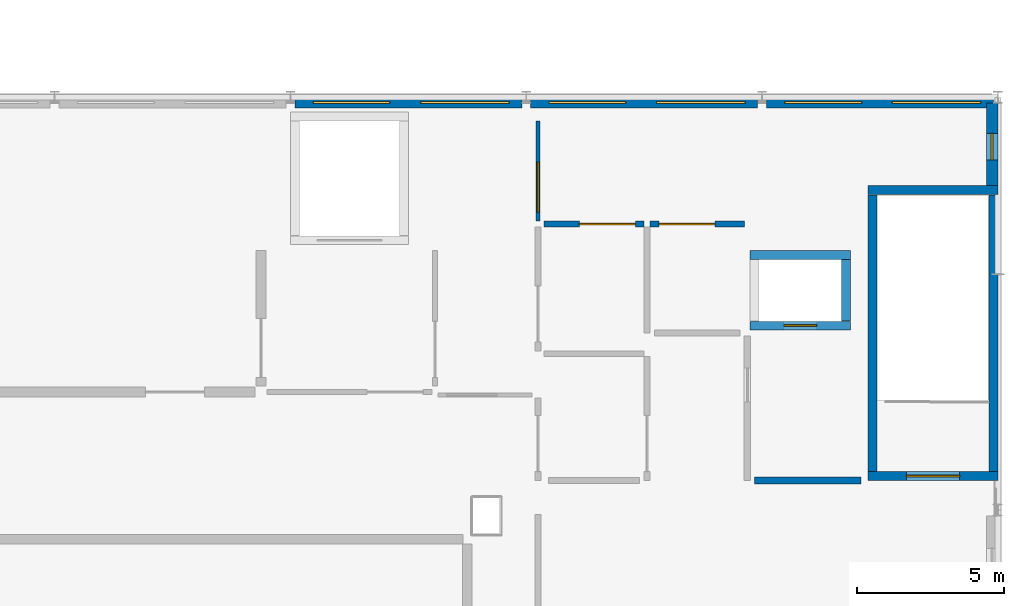
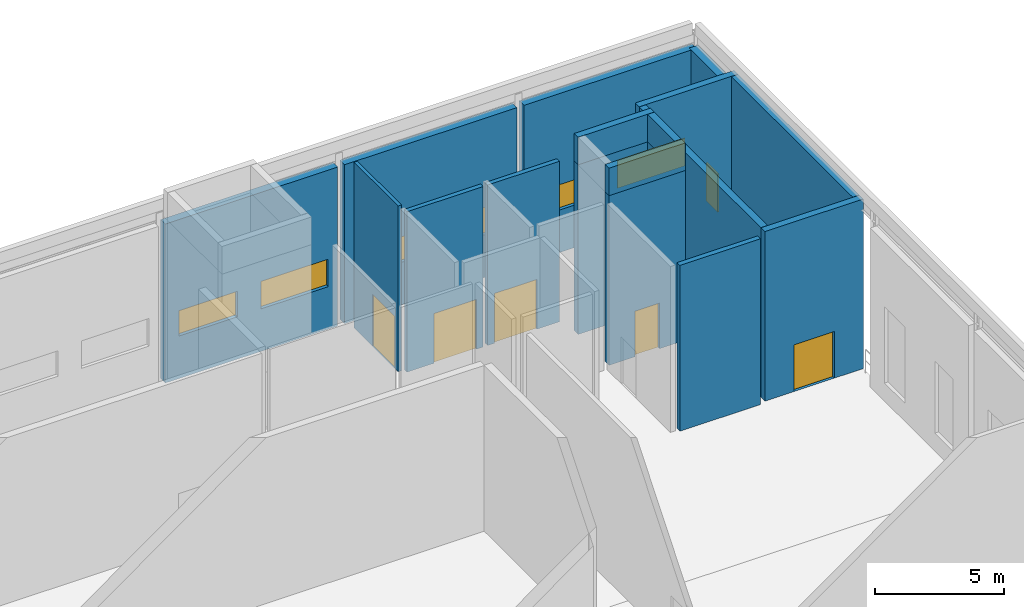
# One storey, part 44 of 49: 18 walls, 7 windows, 5 doors, 12 openings.
"""IFC4 building model written with IfcOpenShell, lengths in metres."""

from ifc_helpers import new_model, si_unit, direction, frame, frame_2d, origin, place, context, subcontext, project, spatial, rectangle, extrude, material, layer, layer_set, type_object, element, fill, save


model = new_model("IFC4")

# Units and contexts
model_context = context("Model", 3, precision=1e-05, world=origin(), true_north=direction((0.0, 1.0)))
body_context = subcontext(model_context, "Body", "Model", "MODEL_VIEW")
ifc_project = project(units=[si_unit("LENGTHUNIT", "METRE"), si_unit("AREAUNIT", "SQUARE_METRE"), si_unit("VOLUMEUNIT", "CUBIC_METRE"), si_unit("PLANEANGLEUNIT", "RADIAN"), si_unit("MASSUNIT", "GRAM", prefix="KILO")], contexts=[model_context])

# Site, building, storey
site_placement = place(None, origin())
site = spatial("IfcSite", under=ifc_project, at=site_placement, CompositionType="ELEMENT")
building_placement = place(site_placement, origin())
building = spatial("IfcBuilding", under=site, at=building_placement, Name="Sundkrona Museum", CompositionType="ELEMENT")
storey_placement = place(building_placement, frame((0.0, 0.0, 26.0)))
storey = spatial("IfcBuildingStorey", under=building, at=storey_placement, Name="L05", CompositionType="ELEMENT", Elevation=26.0)

# Wall, opening, door
ifc_material_1 = material(Name="Concrete C40/50", Category="concrete")
ifc_layer_1 = layer(ifc_material_1, 0.300048828125)
ifc_layer_set_1 = layer_set([ifc_layer_1], Name="Concrete C40/50")
wall_type_1 = type_object("IfcWallType", Name="W-CORE-300", PredefinedType="SHEAR", material=ifc_layer_set_1)
wall_1_placement = place(storey_placement, frame((163.60009765625, 33.14990234375, 0.0), z_axis=(0.0, 0.0, 1.0), x_axis=(1.0, 0.0, 0.0)))
wall_1 = element("IfcWall", 1, at=wall_1_placement, inside=storey, type_object=wall_type_1, Name="L05 ST-1 Core Shear Wall South", PredefinedType="SHEAR", context=body_context, shape_type="SweptSolid", body=[
    extrude(rectangle(XDim=4.39990234375, YDim=0.300048828125, at=frame_2d((2.199951171875, 0.0))), origin(), (0.0, 0.0, 1.0), 8.0),
])
opening_1_placement = place(wall_1_placement, frame((1.300048828125, 0.0, 0.0)))
opening_1 = element("IfcOpeningElement", 2, at=opening_1_placement, cuts=wall_1, Name="Opening D-FD60", PredefinedType="OPENING", context=body_context, shape_type="SweptSolid", body=[
    extrude(rectangle(XDim=1.800048828125, YDim=2.199951171875, at=frame_2d((0.89990234375, 1.10009765625))), frame((0.0, 0.159912109375, 0.0), z_axis=(0.0, -1.0, 0.0), x_axis=(1.0, 0.0, 0.0)), (0.0, 0.0, 1.0), 0.320068359375),
])
ifc_material_2 = material(Name="Steel S355J2 Fire Door Leaf", Category="steel")
door_type_1 = type_object("IfcDoorType", Name="D-FD60", OperationType="DOUBLE_DOOR_SINGLE_SWING", PredefinedType="DOOR", material=ifc_material_2)
door_1_placement = place(opening_1_placement, origin())
door_1 = element("IfcDoor", 3, at=door_1_placement, inside=storey, type_object=door_type_1, Name="L05 ST-1 Protected Escape Stair Door DR-ST-1-L05", OperationType="DOUBLE_DOOR_SINGLE_SWING", OverallHeight=2.199951171875, OverallWidth=1.800048828125, PredefinedType="DOOR", context=body_context, shape_type="SweptSolid", body=[
    extrude(rectangle(XDim=1.800048828125, YDim=2.199951171875, at=frame_2d((0.89990234375, 1.10009765625))), frame((0.0, 0.02490234375, 0.0), z_axis=(0.0, -1.0, 0.0), x_axis=(1.0, 0.0, 0.0)), (0.0, 0.0, 1.0), 0.050048828125),
])
fill(opening_1, door_1)

# Walls
wall_2_placement = place(storey_placement, frame((163.60009765625, 42.85009765625, 0.0), z_axis=(0.0, 0.0, 1.0), x_axis=(1.0, 0.0, 0.0)))
element("IfcWall", 4, at=wall_2_placement, inside=storey, type_object=wall_type_1, Name="L05 ST-1 Core Shear Wall North", PredefinedType="SHEAR", context=body_context, shape_type="SweptSolid", body=[
    extrude(rectangle(XDim=4.39990234375, YDim=0.300048828125, at=frame_2d((2.199951171875, 0.0))), origin(), (0.0, 0.0, 1.0), 8.0),
])
for number, where, z_axis, x_axis, name in (
    (5, (163.75, 33.31005859375, 0.0), (0.0, 0.0, 1.0), (0.0, 1.0, 0.0), "L05 ST-1 Core Shear Wall West"),
    (6, (167.85009765625, 33.31005859375, 0.0), (0.0, 0.0, 1.0), (0.0, 1.0, 0.0), "L05 ST-1 Core Shear Wall East"),
):
    element("IfcWall", number, at=place(storey_placement, frame(where, z_axis=z_axis, x_axis=x_axis)), inside=storey, type_object=wall_type_1, Name=name, PredefinedType="SHEAR", context=body_context, shape_type="SweptSolid", body=[
        extrude(rectangle(XDim=9.3798828125, YDim=0.300048828125, at=frame_2d((4.68994140625, 0.0))), origin(), (0.0, 0.0, 1.0), 8.0),
    ])

# Wall, opening, door
wall_3_placement = place(storey_placement, frame((159.60009765625, 38.25, 0.0), z_axis=(0.0, 0.0, 1.0), x_axis=(1.0, 0.0, 0.0)))
wall_3 = element("IfcWall", 7, at=wall_3_placement, inside=storey, type_object=wall_type_1, Name="L05 PL-1 Lift Shaft Wall South", PredefinedType="SHEAR", context=body_context, shape_type="SweptSolid", body=[
    extrude(rectangle(XDim=3.39990234375, YDim=0.300048828125, at=frame_2d((1.699951171875, 0.0))), origin(), (0.0, 0.0, 1.0), 8.0),
])
opening_2_placement = place(wall_3_placement, frame((1.14990234375, 0.0, 0.0)))
opening_2 = element("IfcOpeningElement", 8, at=opening_2_placement, cuts=wall_3, Name="Opening LD-01", PredefinedType="OPENING", context=body_context, shape_type="SweptSolid", body=[
    extrude(rectangle(XDim=1.10009765625, YDim=2.14990234375, at=frame_2d((0.550048828125, 1.074951171875))), frame((0.0, 0.159912109375, 0.0), z_axis=(0.0, -1.0, 0.0), x_axis=(1.0, 0.0, 0.0)), (0.0, 0.0, 1.0), 0.320068359375),
])
ifc_material_3 = material(Name="Brushed Stainless Steel Lift Door", Category="steel")
door_type_2 = type_object("IfcDoorType", Name="LD-01", OperationType="SLIDING_TO_LEFT", PredefinedType="DOOR", material=ifc_material_3)
door_2_placement = place(opening_2_placement, origin())
door_2 = element("IfcDoor", 9, at=door_2_placement, inside=storey, type_object=door_type_2, Name="L05 Firefighters Passenger Lift PL-1 Landing Door DR-LIFT-PL-1-L05", OperationType="SLIDING_TO_LEFT", OverallHeight=2.14990234375, OverallWidth=1.10009765625, PredefinedType="DOOR", context=body_context, shape_type="SweptSolid", body=[
    extrude(rectangle(XDim=1.10009765625, YDim=2.14990234375, at=frame_2d((0.550048828125, 1.074951171875))), frame((0.0, 0.02490234375, 0.0), z_axis=(0.0, -1.0, 0.0), x_axis=(1.0, 0.0, 0.0)), (0.0, 0.0, 1.0), 0.050048828125),
])
fill(opening_2, door_2)

# Walls
wall_4_placement = place(storey_placement, frame((159.60009765625, 40.64990234375, 0.0), z_axis=(0.0, 0.0, 1.0), x_axis=(1.0, 0.0, 0.0)))
element("IfcWall", 10, at=wall_4_placement, inside=storey, type_object=wall_type_1, Name="L05 PL-1 Lift Shaft Wall North", PredefinedType="SHEAR", context=body_context, shape_type="SweptSolid", body=[
    extrude(rectangle(XDim=3.39990234375, YDim=0.300048828125, at=frame_2d((1.699951171875, 0.0))), origin(), (0.0, 0.0, 1.0), 8.0),
])
wall_5_placement = place(storey_placement, frame((162.85009765625, 38.409912109375, 0.0), z_axis=(0.0, 0.0, 1.0), x_axis=(0.0, 1.0, 0.0)))
element("IfcWall", 11, at=wall_5_placement, inside=storey, type_object=wall_type_1, Name="L05 PL-1 Lift Shaft Wall East", PredefinedType="SHEAR", context=body_context, shape_type="SweptSolid", body=[
    extrude(rectangle(XDim=2.080078125, YDim=0.300048828125, at=frame_2d((1.0400390625, 0.0))), origin(), (0.0, 0.0, 1.0), 8.0),
])
for number, where, z_axis, x_axis, name in (
    (12, (159.60009765625, 38.25, 8.0), (0.0, 0.0, 1.0), (1.0, 0.0, 0.0), "PL-1 Lift Overrun Wall South"),
    (13, (159.60009765625, 40.64990234375, 8.0), (0.0, 0.0, 1.0), (1.0, 0.0, 0.0), "PL-1 Lift Overrun Wall North"),
):
    element("IfcWall", number, at=place(storey_placement, frame(where, z_axis=z_axis, x_axis=x_axis)), inside=storey, type_object=wall_type_1, Name=name, PredefinedType="SHEAR", context=body_context, shape_type="SweptSolid", body=[
        extrude(rectangle(XDim=3.39990234375, YDim=0.300048828125, at=frame_2d((1.699951171875, 0.0))), origin(), (0.0, 0.0, 1.0), 1.300048828125),
    ])
wall_6_placement = place(storey_placement, frame((162.85009765625, 38.409912109375, 8.0), z_axis=(0.0, 0.0, 1.0), x_axis=(0.0, 1.0, 0.0)))
element("IfcWall", 14, at=wall_6_placement, inside=storey, type_object=wall_type_1, Name="PL-1 Lift Overrun Wall East", PredefinedType="SHEAR", context=body_context, shape_type="SweptSolid", body=[
    extrude(rectangle(XDim=2.080078125, YDim=0.300048828125, at=frame_2d((1.0400390625, 0.0))), origin(), (0.0, 0.0, 1.0), 1.300048828125),
])

# Wall, opening, window
ifc_material_4 = material(Name="Scanian Polychrome Clay Brickwork 390 mm", Category="masonry")
ifc_layer_2 = layer(ifc_material_4, 0.389892578125)
ifc_layer_set_2 = layer_set([ifc_layer_2], Name="Scanian Polychrome Clay Brickwork 390 mm")
wall_type_2 = type_object("IfcWallType", Name="W-EX-390", PredefinedType="SOLIDWALL", material=ifc_layer_set_2)
wall_7_placement = place(storey_placement, frame((167.804931640625, 45.798095703125, 0.0), z_axis=(0.0, 0.0, 1.0), x_axis=(0.0, -1.0, 0.0)))
wall_7 = element("IfcWall", 15, at=wall_7_placement, inside=storey, type_object=wall_type_2, Name="L05 Facade Wall 0078", PredefinedType="SOLIDWALL", context=body_context, shape_type="SweptSolid", body=[
    extrude(rectangle(XDim=2.93798828125, YDim=0.389892578125, at=frame_2d((1.468994140625, 0.0))), origin(), (0.0, 0.0, 1.0), 7.4951171875),
])
opening_3_placement = place(wall_7_placement, frame((1.01904296875, 0.0, 0.85009765625)))
opening_3 = element("IfcOpeningElement", 16, at=opening_3_placement, cuts=wall_7, Name="Opening WN-ST-090x180", PredefinedType="OPENING", context=body_context, shape_type="SweptSolid", body=[
    extrude(rectangle(XDim=0.89990234375, YDim=1.800048828125, at=frame_2d((0.449951171875, 0.89990234375))), frame((0.0, 0.204833984375, 0.0), z_axis=(0.0, -1.0, 0.0), x_axis=(1.0, 0.0, 0.0)), (0.0, 0.0, 1.0), 0.409912109375),
])
ifc_material_5 = material(Name="Triple Low-E Argon Glazing in Bronze-Anodised Aluminium", Category="aluminium")
window_type_1 = type_object("IfcWindowType", Name="WN-ST-090x180", PartitioningType="SINGLE_PANEL", PredefinedType="WINDOW", material=ifc_material_5)
window_1_placement = place(opening_3_placement, origin())
window_1 = element("IfcWindow", 17, at=window_1_placement, inside=storey, type_object=window_type_1, Name="L05 Stair-core avenue daylight slot window 900x1800 WIN-L05-0107", OverallHeight=1.800048828125, OverallWidth=0.89990234375, PartitioningType="SINGLE_PANEL", PredefinedType="WINDOW", context=body_context, shape_type="SweptSolid", body=[
    extrude(rectangle(XDim=0.89990234375, YDim=1.800048828125, at=frame_2d((0.449951171875, 0.89990234375))), frame((0.0, 0.030029296875, 0.0), z_axis=(0.0, -1.0, 0.0), x_axis=(1.0, 0.0, 0.0)), (0.0, 0.0, 1.0), 0.06005859375),
])
fill(opening_3, window_1)

# Wall
ifc_material_6 = material(Name="Autoclaved Aerated Masonry 225 mm", Category="masonry")
ifc_layer_3 = layer(ifc_material_6, 0.22509765625)
ifc_layer_set_3 = layer_set([ifc_layer_3], Name="Autoclaved Aerated Masonry 225 mm")
wall_type_3 = type_object("IfcWallType", Name="W-FF-225", PredefinedType="SOLIDWALL", material=ifc_layer_set_3)
wall_8_placement = place(storey_placement, frame((159.75, 33.0, 0.0), z_axis=(0.0, 0.0, 1.0), x_axis=(1.0, 0.0, 0.0)))
element("IfcWall", 18, at=wall_8_placement, inside=storey, type_object=wall_type_3, Name="L05 Firefighting Lobby Enclosure Wall S", PredefinedType="SOLIDWALL", context=body_context, shape_type="SweptSolid", body=[
    extrude(rectangle(XDim=3.60009765625, YDim=0.22509765625, at=frame_2d((1.800048828125, 0.0))), origin(), (0.0, 0.0, 1.0), 7.820068359375),
])

# Wall, opening, door
ifc_material_7 = material(Name="Acoustic Gypsum Partition Board 150 mm", Category="other")
ifc_layer_4 = layer(ifc_material_7, 0.14990234375)
ifc_layer_set_4 = layer_set([ifc_layer_4], Name="Acoustic Gypsum Partition Board 150 mm")
wall_type_4 = type_object("IfcWallType", Name="W-PT-150", PredefinedType="PARTITIONING", material=ifc_layer_set_4)
wall_9_placement = place(storey_placement, frame((152.39990234375, 41.800048828125, 0.0), z_axis=(0.0, 0.0, 1.0), x_axis=(0.0, 1.0, 0.0)))
wall_9 = element("IfcWall", 19, at=wall_9_placement, inside=storey, type_object=wall_type_4, Name="L05 Partition Sanitary WC Lobby / Crown Core 1 Connector", PredefinedType="PARTITIONING", context=body_context, shape_type="SweptSolid", body=[
    extrude(rectangle(XDim=3.39990234375, YDim=0.14990234375, at=frame_2d((1.699951171875, 0.0))), origin(), (0.0, 0.0, 1.0), 7.820068359375),
])
opening_4_placement = place(wall_9_placement, frame((0.300048828125, 0.0, 0.0)))
opening_4 = element("IfcOpeningElement", 20, at=opening_4_placement, cuts=wall_9, Name="Opening D-GAL-170", PredefinedType="OPENING", context=body_context, shape_type="SweptSolid", body=[
    extrude(rectangle(XDim=1.699951171875, YDim=2.449951171875, at=frame_2d((0.85009765625, 1.22509765625))), frame((0.0, 0.0849609375, 0.0), z_axis=(0.0, -1.0, 0.0), x_axis=(1.0, 0.0, 0.0)), (0.0, 0.0, 1.0), 0.169921875),
])
ifc_material_8 = material(Name="European Oak Gallery Door", Category="other")
door_type_3 = type_object("IfcDoorType", Name="D-GAL-170", OperationType="DOUBLE_DOOR_SINGLE_SWING", PredefinedType="DOOR", material=ifc_material_8)
door_3_placement = place(opening_4_placement, origin())
door_3 = element("IfcDoor", 21, at=door_3_placement, inside=storey, type_object=door_type_3, Name="L05 Interior Door DR-ADJ-L05-0211", OperationType="DOUBLE_DOOR_SINGLE_SWING", OverallHeight=2.449951171875, OverallWidth=1.699951171875, PredefinedType="DOOR", context=body_context, shape_type="SweptSolid", body=[
    extrude(rectangle(XDim=1.699951171875, YDim=2.449951171875, at=frame_2d((0.85009765625, 1.22509765625))), frame((0.0, 0.02490234375, 0.0), z_axis=(0.0, -1.0, 0.0), x_axis=(1.0, 0.0, 0.0)), (0.0, 0.0, 1.0), 0.050048828125),
])
fill(opening_4, door_3)

ifc_material_9 = material(Name="Moisture-resistant Tile Partition 200 mm", Category="other")
ifc_layer_5 = layer(ifc_material_9, 0.199951171875)
ifc_layer_set_5 = layer_set([ifc_layer_5], Name="Moisture-resistant Tile Partition 200 mm")
wall_type_5 = type_object("IfcWallType", Name="W-PT-200", PredefinedType="PARTITIONING", material=ifc_layer_set_5)
wall_10_placement = place(storey_placement, frame((152.60009765625, 41.699951171875, 0.0), z_axis=(0.0, 0.0, 1.0), x_axis=(1.0, 0.0, 0.0)))
wall_10 = element("IfcWall", 22, at=wall_10_placement, inside=storey, type_object=wall_type_5, Name="L05 Partition Sanitary WC Lobby / Female Toilet", PredefinedType="PARTITIONING", context=body_context, shape_type="SweptSolid", body=[
    extrude(rectangle(XDim=3.39990234375, YDim=0.199951171875, at=frame_2d((1.699951171875, 0.0))), origin(), (0.0, 0.0, 1.0), 7.570068359375),
])
opening_5_placement = place(wall_10_placement, frame((1.199951171875, 0.0, 0.0)))
opening_5 = element("IfcOpeningElement", 23, at=opening_5_placement, cuts=wall_10, Name="Opening D-AUD-190", PredefinedType="OPENING", context=body_context, shape_type="SweptSolid", body=[
    extrude(rectangle(XDim=1.89990234375, YDim=2.35009765625, at=frame_2d((0.949951171875, 1.175048828125))), frame((0.0, 0.10986328125, 0.0), z_axis=(0.0, -1.0, 0.0), x_axis=(1.0, 0.0, 0.0)), (0.0, 0.0, 1.0), 0.219970703125),
])
ifc_material_10 = material(Name="Acoustic Oak Fire Door", Category="other")
door_type_4 = type_object("IfcDoorType", Name="D-AUD-190", OperationType="DOUBLE_DOOR_SINGLE_SWING", PredefinedType="DOOR", material=ifc_material_10)
door_4_placement = place(opening_5_placement, origin())
door_4 = element("IfcDoor", 24, at=door_4_placement, inside=storey, type_object=door_type_4, Name="L05 Interior Door DR-ADJ-L05-0209", OperationType="DOUBLE_DOOR_SINGLE_SWING", OverallHeight=2.35009765625, OverallWidth=1.89990234375, PredefinedType="DOOR", context=body_context, shape_type="SweptSolid", body=[
    extrude(rectangle(XDim=1.89990234375, YDim=2.35009765625, at=frame_2d((0.949951171875, 1.175048828125))), frame((0.0, 0.02490234375, 0.0), z_axis=(0.0, -1.0, 0.0), x_axis=(1.0, 0.0, 0.0)), (0.0, 0.0, 1.0), 0.050048828125),
])
fill(opening_5, door_4)

wall_11_placement = place(storey_placement, frame((156.199951171875, 41.699951171875, 0.0), z_axis=(0.0, 0.0, 1.0), x_axis=(1.0, 0.0, 0.0)))
wall_11 = element("IfcWall", 25, at=wall_11_placement, inside=storey, type_object=wall_type_5, Name="L05 Partition Sanitary WC Lobby / Accessible WC", PredefinedType="PARTITIONING", context=body_context, shape_type="SweptSolid", body=[
    extrude(rectangle(XDim=3.199951171875, YDim=0.199951171875, at=frame_2d((1.60009765625, 0.0))), origin(), (0.0, 0.0, 1.0), 7.570068359375),
])
opening_6_placement = place(wall_11_placement, frame((0.300048828125, 0.0, 0.0)))
opening_6 = element("IfcOpeningElement", 26, at=opening_6_placement, cuts=wall_11, Name="Opening D-AUD-190", PredefinedType="OPENING", context=body_context, shape_type="SweptSolid", body=[
    extrude(rectangle(XDim=1.89990234375, YDim=2.35009765625, at=frame_2d((0.949951171875, 1.175048828125))), frame((0.0, 0.10986328125, 0.0), z_axis=(0.0, -1.0, 0.0), x_axis=(1.0, 0.0, 0.0)), (0.0, 0.0, 1.0), 0.219970703125),
])
door_5_placement = place(opening_6_placement, origin())
door_5 = element("IfcDoor", 27, at=door_5_placement, inside=storey, type_object=door_type_4, Name="L05 Interior Door DR-ADJ-L05-0210", OperationType="DOUBLE_DOOR_SINGLE_SWING", OverallHeight=2.35009765625, OverallWidth=1.89990234375, PredefinedType="DOOR", context=body_context, shape_type="SweptSolid", body=[
    extrude(rectangle(XDim=1.89990234375, YDim=2.35009765625, at=frame_2d((0.949951171875, 1.175048828125))), frame((0.0, 0.02490234375, 0.0), z_axis=(0.0, -1.0, 0.0), x_axis=(1.0, 0.0, 0.0)), (0.0, 0.0, 1.0), 0.050048828125),
])
fill(opening_6, door_5)

# Wall, openings, windows
ifc_material_11 = material(Name="Vitrified Stoneware Mosaic Cladding 360 mm", Category="masonry")
ifc_layer_6 = layer(ifc_material_11, 0.360107421875)
ifc_layer_set_6 = layer_set([ifc_layer_6], Name="Vitrified Stoneware Mosaic Cladding 360 mm")
wall_type_6 = type_object("IfcWallType", Name="W-SP-360", PredefinedType="ELEMENTEDWALL", material=ifc_layer_set_6)
wall_12_placement = place(storey_placement, frame((144.152099609375, 45.820068359375, 0.0), z_axis=(0.0, 0.0, 1.0), x_axis=(1.0, 0.0, 0.0)))
wall_12 = element("IfcWall", 28, at=wall_12_placement, inside=storey, type_object=wall_type_6, Name="L05 Facade Wall 0082", PredefinedType="ELEMENTEDWALL", context=body_context, shape_type="SweptSolid", body=[
    extrude(rectangle(XDim=7.69580078125, YDim=0.360107421875, at=frame_2d((3.847900390625, 0.0))), origin(), (0.0, 0.0, 1.0), 7.4951171875),
])
opening_7_placement = place(wall_12_placement, frame((0.6240234375, 0.0, 2.0)))
opening_7 = element("IfcOpeningElement", 29, at=opening_7_placement, cuts=wall_12, Name="Opening WN-CL-260x120", PredefinedType="OPENING", context=body_context, shape_type="SweptSolid", body=[
    extrude(rectangle(XDim=2.60009765625, YDim=1.199951171875, at=frame_2d((1.300048828125, 0.60009765625))), frame((0.0, 0.18994140625, 0.0), z_axis=(0.0, -1.0, 0.0), x_axis=(1.0, 0.0, 0.0)), (0.0, 0.0, 1.0), 0.380126953125),
])
opening_8_placement = place(wall_12_placement, frame((4.27197265625, 0.0, 2.0)))
opening_8 = element("IfcOpeningElement", 30, at=opening_8_placement, cuts=wall_12, Name="Opening WN-CL-300x130", PredefinedType="OPENING", context=body_context, shape_type="SweptSolid", body=[
    extrude(rectangle(XDim=3.0, YDim=1.300048828125, at=frame_2d((1.5, 0.64990234375))), frame((0.0, 0.18994140625, 0.0), z_axis=(0.0, -1.0, 0.0), x_axis=(1.0, 0.0, 0.0)), (0.0, 0.0, 1.0), 0.380126953125),
])
window_type_2 = type_object("IfcWindowType", Name="WN-CL-260x120", PartitioningType="DOUBLE_PANEL_HORIZONTAL", PredefinedType="WINDOW", material=ifc_material_5)
window_2_placement = place(opening_7_placement, origin())
window_2 = element("IfcWindow", 31, at=window_2_placement, inside=storey, type_object=window_type_2, Name="L05 High-level gallery clerestory ribbon window 2600x1200 WIN-L05-0114", OverallHeight=1.199951171875, OverallWidth=2.60009765625, PartitioningType="DOUBLE_PANEL_HORIZONTAL", PredefinedType="WINDOW", context=body_context, shape_type="SweptSolid", body=[
    extrude(rectangle(XDim=2.60009765625, YDim=1.199951171875, at=frame_2d((1.300048828125, 0.60009765625))), frame((0.0, 0.030029296875, 0.0), z_axis=(0.0, -1.0, 0.0), x_axis=(1.0, 0.0, 0.0)), (0.0, 0.0, 1.0), 0.06005859375),
])
fill(opening_7, window_2)
window_type_3 = type_object("IfcWindowType", Name="WN-CL-300x130", PartitioningType="TRIPLE_PANEL_HORIZONTAL", PredefinedType="WINDOW", material=ifc_material_5)
window_3_placement = place(opening_8_placement, origin())
window_3 = element("IfcWindow", 32, at=window_3_placement, inside=storey, type_object=window_type_3, Name="L05 Exhibition clerestory window 3000x1300 WIN-L05-0115", OverallHeight=1.300048828125, OverallWidth=3.0, PartitioningType="TRIPLE_PANEL_HORIZONTAL", PredefinedType="WINDOW", context=body_context, shape_type="SweptSolid", body=[
    extrude(rectangle(XDim=3.0, YDim=1.300048828125, at=frame_2d((1.5, 0.64990234375))), frame((0.0, 0.030029296875, 0.0), z_axis=(0.0, -1.0, 0.0), x_axis=(1.0, 0.0, 0.0)), (0.0, 0.0, 1.0), 0.06005859375),
])
fill(opening_8, window_3)

wall_13_placement = place(storey_placement, frame((152.152099609375, 45.820068359375, 0.0), z_axis=(0.0, 0.0, 1.0), x_axis=(1.0, 0.0, 0.0)))
wall_13 = element("IfcWall", 33, at=wall_13_placement, inside=storey, type_object=wall_type_6, Name="L05 Facade Wall 0083", PredefinedType="ELEMENTEDWALL", context=body_context, shape_type="SweptSolid", body=[
    extrude(rectangle(XDim=7.69580078125, YDim=0.360107421875, at=frame_2d((3.847900390625, 0.0))), origin(), (0.0, 0.0, 1.0), 7.4951171875),
])
opening_9_placement = place(wall_13_placement, frame((0.6240234375, 0.0, 2.0)))
opening_9 = element("IfcOpeningElement", 34, at=opening_9_placement, cuts=wall_13, Name="Opening WN-CL-260x120", PredefinedType="OPENING", context=body_context, shape_type="SweptSolid", body=[
    extrude(rectangle(XDim=2.60009765625, YDim=1.199951171875, at=frame_2d((1.300048828125, 0.60009765625))), frame((0.0, 0.18994140625, 0.0), z_axis=(0.0, -1.0, 0.0), x_axis=(1.0, 0.0, 0.0)), (0.0, 0.0, 1.0), 0.380126953125),
])
opening_10_placement = place(wall_13_placement, frame((4.27197265625, 0.0, 2.0)))
opening_10 = element("IfcOpeningElement", 35, at=opening_10_placement, cuts=wall_13, Name="Opening WN-CL-300x130", PredefinedType="OPENING", context=body_context, shape_type="SweptSolid", body=[
    extrude(rectangle(XDim=3.0, YDim=1.300048828125, at=frame_2d((1.5, 0.64990234375))), frame((0.0, 0.18994140625, 0.0), z_axis=(0.0, -1.0, 0.0), x_axis=(1.0, 0.0, 0.0)), (0.0, 0.0, 1.0), 0.380126953125),
])
window_4_placement = place(opening_9_placement, origin())
window_4 = element("IfcWindow", 36, at=window_4_placement, inside=storey, type_object=window_type_2, Name="L05 High-level gallery clerestory ribbon window 2600x1200 WIN-L05-0116", OverallHeight=1.199951171875, OverallWidth=2.60009765625, PartitioningType="DOUBLE_PANEL_HORIZONTAL", PredefinedType="WINDOW", context=body_context, shape_type="SweptSolid", body=[
    extrude(rectangle(XDim=2.60009765625, YDim=1.199951171875, at=frame_2d((1.300048828125, 0.60009765625))), frame((0.0, 0.030029296875, 0.0), z_axis=(0.0, -1.0, 0.0), x_axis=(1.0, 0.0, 0.0)), (0.0, 0.0, 1.0), 0.06005859375),
])
fill(opening_9, window_4)
window_5_placement = place(opening_10_placement, origin())
window_5 = element("IfcWindow", 37, at=window_5_placement, inside=storey, type_object=window_type_3, Name="L05 Exhibition clerestory window 3000x1300 WIN-L05-0117", OverallHeight=1.300048828125, OverallWidth=3.0, PartitioningType="TRIPLE_PANEL_HORIZONTAL", PredefinedType="WINDOW", context=body_context, shape_type="SweptSolid", body=[
    extrude(rectangle(XDim=3.0, YDim=1.300048828125, at=frame_2d((1.5, 0.64990234375))), frame((0.0, 0.030029296875, 0.0), z_axis=(0.0, -1.0, 0.0), x_axis=(1.0, 0.0, 0.0)), (0.0, 0.0, 1.0), 0.06005859375),
])
fill(opening_10, window_5)

wall_14_placement = place(storey_placement, frame((160.152099609375, 45.820068359375, 0.0), z_axis=(0.0, 0.0, 1.0), x_axis=(1.0, 0.0, 0.0)))
wall_14 = element("IfcWall", 38, at=wall_14_placement, inside=storey, type_object=wall_type_6, Name="L05 Facade Wall 0084", PredefinedType="ELEMENTEDWALL", context=body_context, shape_type="SweptSolid", body=[
    extrude(rectangle(XDim=7.69580078125, YDim=0.360107421875, at=frame_2d((3.847900390625, 0.0))), origin(), (0.0, 0.0, 1.0), 7.4951171875),
])
opening_11_placement = place(wall_14_placement, frame((0.6240234375, 0.0, 2.0)))
opening_11 = element("IfcOpeningElement", 39, at=opening_11_placement, cuts=wall_14, Name="Opening WN-CL-260x120", PredefinedType="OPENING", context=body_context, shape_type="SweptSolid", body=[
    extrude(rectangle(XDim=2.60009765625, YDim=1.199951171875, at=frame_2d((1.300048828125, 0.60009765625))), frame((0.0, 0.18994140625, 0.0), z_axis=(0.0, -1.0, 0.0), x_axis=(1.0, 0.0, 0.0)), (0.0, 0.0, 1.0), 0.380126953125),
])
opening_12_placement = place(wall_14_placement, frame((4.27197265625, 0.0, 2.0)))
opening_12 = element("IfcOpeningElement", 40, at=opening_12_placement, cuts=wall_14, Name="Opening WN-CL-300x130", PredefinedType="OPENING", context=body_context, shape_type="SweptSolid", body=[
    extrude(rectangle(XDim=3.0, YDim=1.300048828125, at=frame_2d((1.5, 0.64990234375))), frame((0.0, 0.18994140625, 0.0), z_axis=(0.0, -1.0, 0.0), x_axis=(1.0, 0.0, 0.0)), (0.0, 0.0, 1.0), 0.380126953125),
])
window_6_placement = place(opening_11_placement, origin())
window_6 = element("IfcWindow", 41, at=window_6_placement, inside=storey, type_object=window_type_2, Name="L05 High-level gallery clerestory ribbon window 2600x1200 WIN-L05-0118", OverallHeight=1.199951171875, OverallWidth=2.60009765625, PartitioningType="DOUBLE_PANEL_HORIZONTAL", PredefinedType="WINDOW", context=body_context, shape_type="SweptSolid", body=[
    extrude(rectangle(XDim=2.60009765625, YDim=1.199951171875, at=frame_2d((1.300048828125, 0.60009765625))), frame((0.0, 0.030029296875, 0.0), z_axis=(0.0, -1.0, 0.0), x_axis=(1.0, 0.0, 0.0)), (0.0, 0.0, 1.0), 0.06005859375),
])
fill(opening_11, window_6)
window_7_placement = place(opening_12_placement, origin())
window_7 = element("IfcWindow", 42, at=window_7_placement, inside=storey, type_object=window_type_3, Name="L05 Exhibition clerestory window 3000x1300 WIN-L05-0119", OverallHeight=1.300048828125, OverallWidth=3.0, PartitioningType="TRIPLE_PANEL_HORIZONTAL", PredefinedType="WINDOW", context=body_context, shape_type="SweptSolid", body=[
    extrude(rectangle(XDim=3.0, YDim=1.300048828125, at=frame_2d((1.5, 0.64990234375))), frame((0.0, 0.030029296875, 0.0), z_axis=(0.0, -1.0, 0.0), x_axis=(1.0, 0.0, 0.0)), (0.0, 0.0, 1.0), 0.06005859375),
])
fill(opening_12, window_7)

save(model, "model.ifc")
